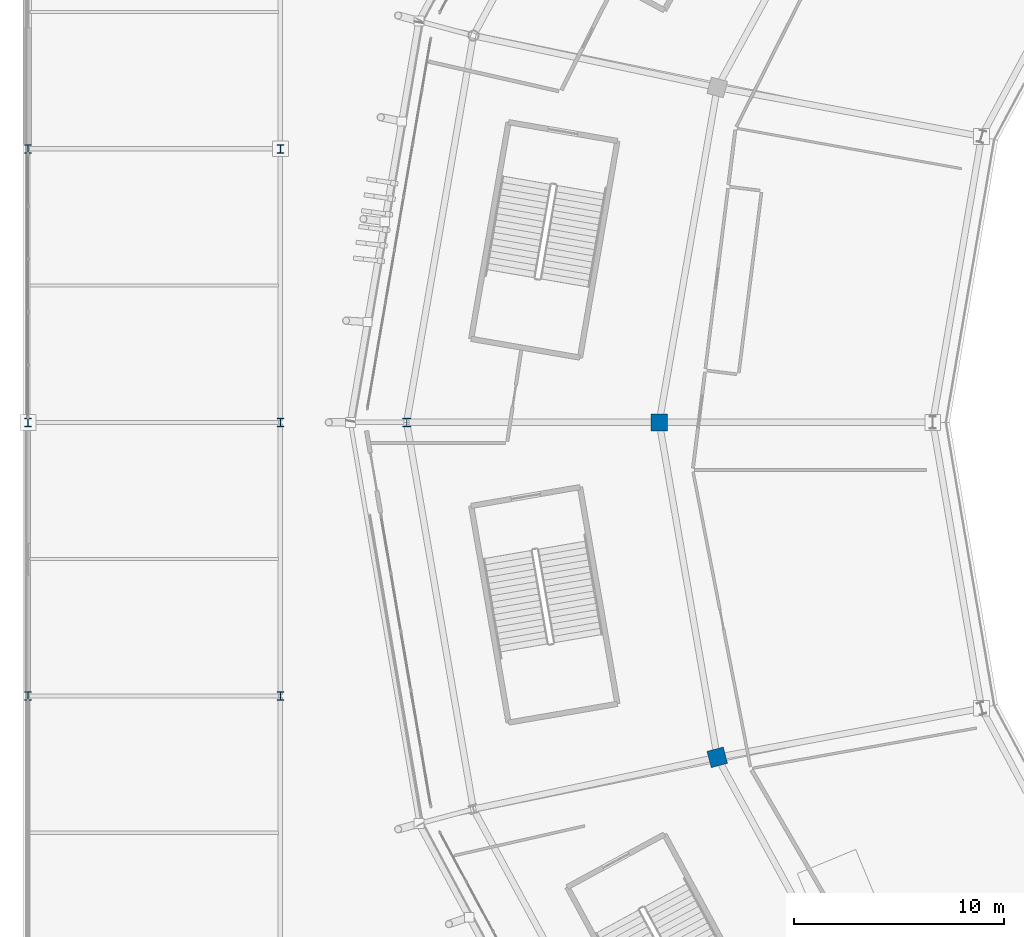
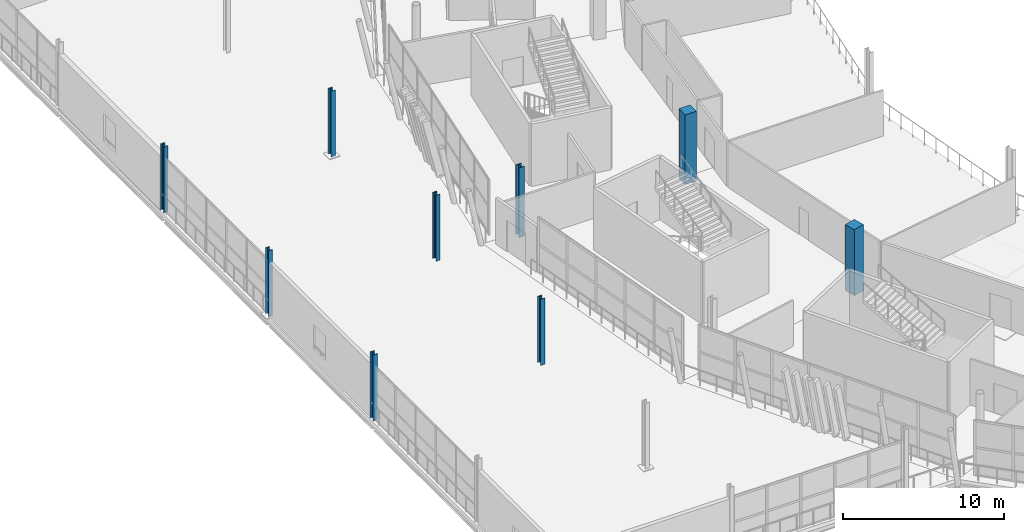
# One storey, part 7 of 179: 9 columns.
"""IFC4 building model written with IfcOpenShell, lengths in metres."""

from ifc_helpers import new_model, si_unit, direction, frame, origin, origin_2d, place, context, subcontext, project, spatial, rectangle, i_section, extrude, material, material_profile, profile_set, type_object, element, save


model = new_model("IFC4")

# Units and contexts
model_context = context("Model", 3, precision=1e-05, world=origin(), true_north=direction((0.0, 1.0)))
body_context = subcontext(model_context, "Body", "Model", "MODEL_VIEW")
ifc_project = project(units=[si_unit("LENGTHUNIT", "METRE"), si_unit("AREAUNIT", "SQUARE_METRE"), si_unit("VOLUMEUNIT", "CUBIC_METRE"), si_unit("PLANEANGLEUNIT", "RADIAN"), si_unit("MASSUNIT", "GRAM", prefix="KILO")], contexts=[model_context])

# Site, building, storey
site_placement = place(None, origin())
site = spatial("IfcSite", under=ifc_project, at=site_placement, CompositionType="ELEMENT")
building_placement = place(site_placement, origin())
building = spatial("IfcBuilding", under=site, at=building_placement, Name="Zlatoyarsky Gate Stadium", CompositionType="ELEMENT")
storey_placement = place(building_placement, frame((0.0, 0.0, 10.60009765625)))
storey = spatial("IfcBuildingStorey", under=building, at=storey_placement, Name="L02", CompositionType="ELEMENT", Elevation=10.60009765625)

# Columns
ifc_material_1 = material(Name="Concrete C40/50", Category="concrete")
ifc_material_profile_1 = material_profile(ifc_material_1, rectangle(XDim=0.800048828125, YDim=0.800048828125, at=origin_2d()), Name="RC COL 800X800")
ifc_profile_set_1 = profile_set([ifc_material_profile_1], Name="Concrete C40/50")
column_type_1 = type_object("IfcColumnType", Name="CONCRETE COLUMN 800X800", PredefinedType="COLUMN", material=ifc_profile_set_1)
column_1_placement = place(storey_placement, frame((30.0, 80.0, -0.280029296875), z_axis=(0.0, 0.0, 1.0), x_axis=(-1.0, 0.0, 0.0)))
element("IfcColumn", 1, at=column_1_placement, inside=storey, type_object=column_type_1, Name="Column RC-C80 RB-12 on L02", PredefinedType="COLUMN", context=body_context, shape_type="SweptSolid", body=[
    extrude(rectangle(XDim=0.800048828125, YDim=0.800048828125, at=origin_2d()), origin(), (0.0, 0.0, 1.0), 5.280029296875),
])
column_2_placement = place(storey_placement, frame((32.760009765625, 64.08251953125, 0.0), z_axis=(0.0, 0.0, 1.0), x_axis=(-0.965925826289, -0.258819045103, 0.0)))
element("IfcColumn", 2, at=column_2_placement, inside=storey, type_object=column_type_1, Name="Column RC-C80 RB-13 on L02", PredefinedType="COLUMN", context=body_context, shape_type="SweptSolid", body=[
    extrude(rectangle(XDim=0.800048828125, YDim=0.800048828125, at=origin_2d()), origin(), (0.0, 0.0, 1.0), 5.0),
])
ifc_material_2 = material(Name="Steel S355", Category="steel")
ifc_material_profile_2 = material_profile(ifc_material_2, i_section(OverallWidth=0.300048828125, OverallDepth=0.39990234375, WebThickness=0.013427734375, FlangeThickness=0.02392578125, FilletRadius=0.027099609375, at=origin_2d()), Name="HEB 400")
ifc_profile_set_2 = profile_set([ifc_material_profile_2], Name="Steel S355")
column_type_2 = type_object("IfcColumnType", Name="STEEL COLUMN HEB 400", PredefinedType="COLUMN", material=ifc_profile_set_2)
for number, where, z_axis, x_axis, name in (
    (3, (0.0, 67.0, 0.0), (0.0, 0.0, 1.0), (1.0, 0.0, 0.0), "Column ST-C400 WG-1-G on L02"),
    (4, (0.0, 80.0, 0.0), (0.0, 0.0, 1.0), (1.0, 0.0, 0.0), "Column ST-C400 WG-1-H on L02"),
    (5, (0.0, 93.0, 0.0), (0.0, 0.0, 1.0), (1.0, 0.0, 0.0), "Column ST-C400 WG-1-J on L02"),
    (6, (12.0, 67.0, 0.0), (0.0, 0.0, 1.0), (1.0, 0.0, 0.0), "Column ST-C400 WG-2-G on L02"),
    (7, (12.0, 80.0, 0.0), (0.0, 0.0, 1.0), (1.0, 0.0, 0.0), "Column ST-C400 WG-2-H on L02"),
    (8, (12.0, 93.0, 0.0), (0.0, 0.0, 1.0), (1.0, 0.0, 0.0), "Column ST-C400 WG-2-J on L02"),
):
    element("IfcColumn", number, at=place(storey_placement, frame(where, z_axis=z_axis, x_axis=x_axis)), inside=storey, type_object=column_type_2, Name=name, PredefinedType="COLUMN", context=body_context, shape_type="SweptSolid", body=[
        extrude(i_section(OverallWidth=0.300048828125, OverallDepth=0.39990234375, WebThickness=0.013427734375, FlangeThickness=0.02392578125, FilletRadius=0.027099609375, at=origin_2d()), origin(), (0.0, 0.0, 1.0), 5.0),
    ])
ifc_material_profile_3 = material_profile(ifc_material_2, i_section(OverallWidth=0.406005859375, OverallDepth=0.416015625, WebThickness=0.02392578125, FlangeThickness=0.0390625, FilletRadius=0.014892578125, at=origin_2d()), Name="HD 400X382")
ifc_profile_set_3 = profile_set([ifc_material_profile_3], Name="Steel S355")
column_type_3 = type_object("IfcColumnType", Name="STEEL PORTAL PILASTER HD 400X382", PredefinedType="PILASTER", material=ifc_profile_set_3)
column_3_placement = place(storey_placement, frame((18.0, 80.0, -0.280029296875), z_axis=(0.0, 0.0, 1.0), x_axis=(-1.0, 0.0, 0.0)))
element("IfcColumn", 9, at=column_3_placement, inside=storey, type_object=column_type_3, Name="Column ST-CHD RC-12 on L02", PredefinedType="PILASTER", context=body_context, shape_type="SweptSolid", body=[
    extrude(i_section(OverallWidth=0.406005859375, OverallDepth=0.416015625, WebThickness=0.02392578125, FlangeThickness=0.0390625, FilletRadius=0.014892578125, at=origin_2d()), origin(), (0.0, 0.0, 1.0), 5.280029296875),
])

save(model, "model.ifc")
